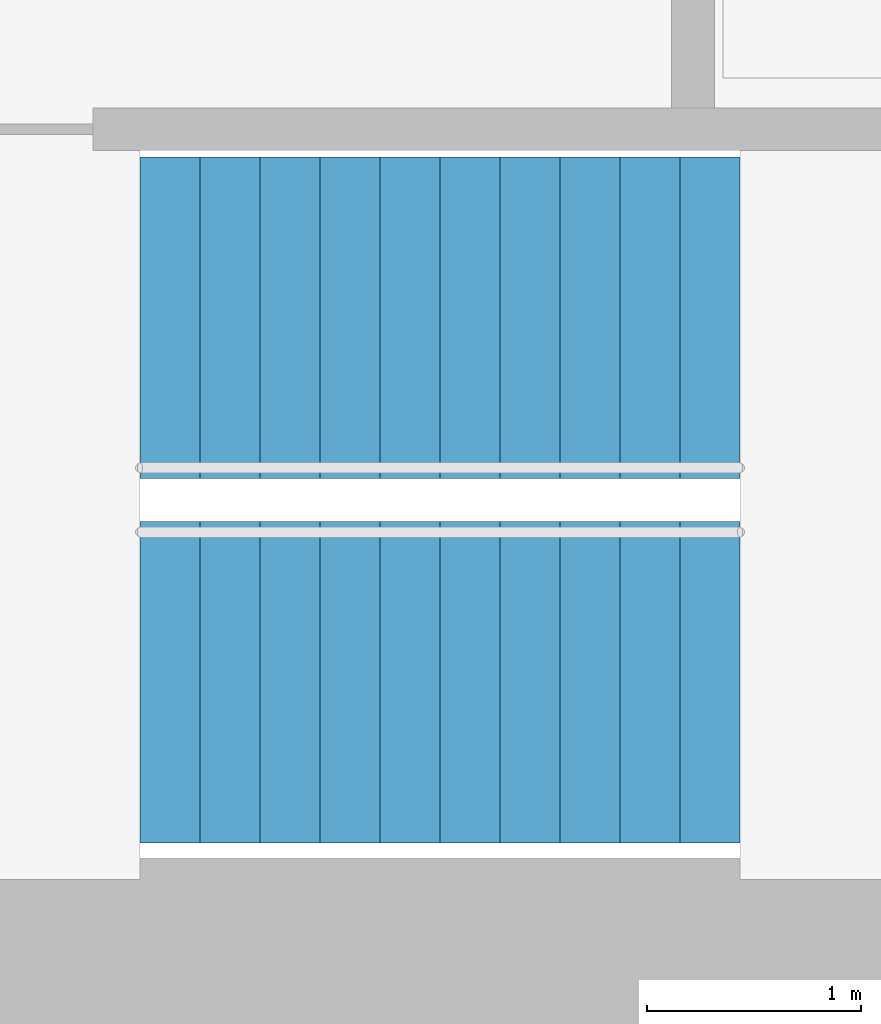
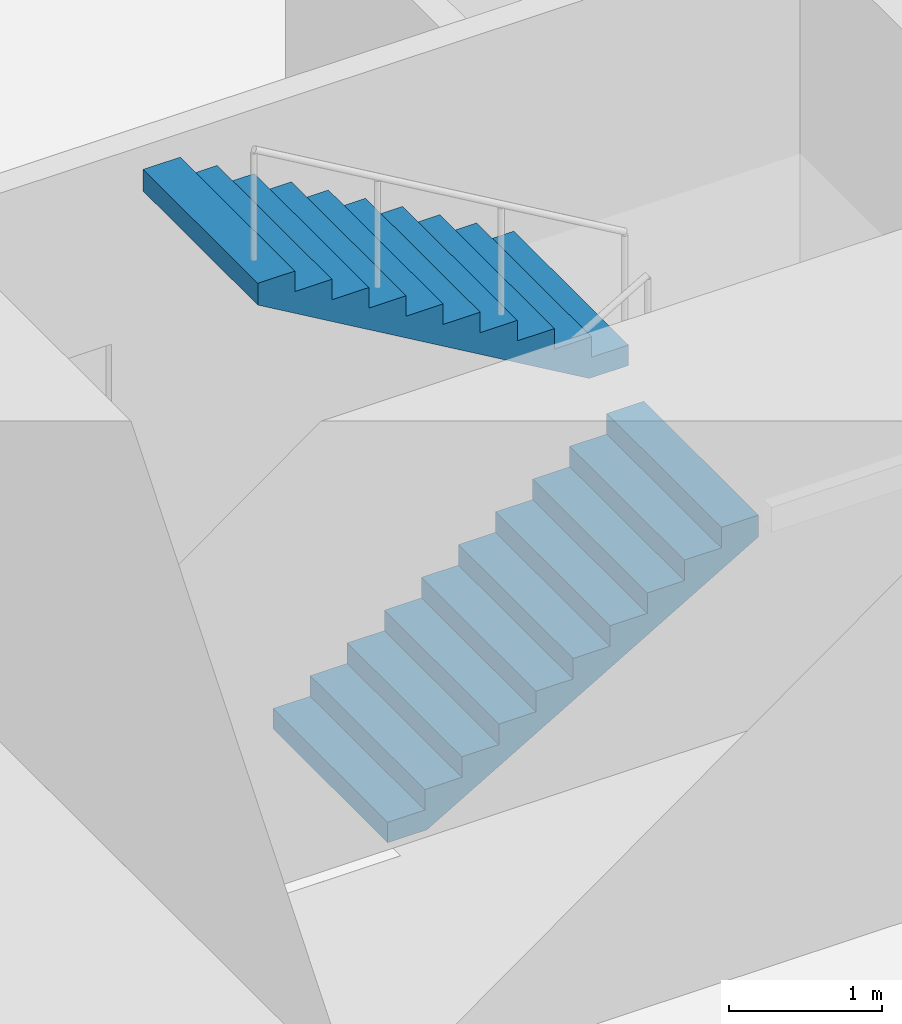
# One storey, part 13 of 15: 2 stair flights, 1 element without a shape of its own.
"""IFC4 building model written with IfcOpenShell, lengths in metres."""

from ifc_helpers import new_model, si_unit, direction, frame, origin, place, context, subcontext, project, spatial, triangles, material, type_object, element, aggregate, save


model = new_model("IFC4")

# Units and contexts
model_context = context("Model", 3, precision=1e-05, world=origin(), true_north=direction((0.0, 1.0)))
body_context = subcontext(model_context, "Body", "Model", "MODEL_VIEW")
ifc_project = project(units=[si_unit("LENGTHUNIT", "METRE"), si_unit("AREAUNIT", "SQUARE_METRE"), si_unit("VOLUMEUNIT", "CUBIC_METRE"), si_unit("PLANEANGLEUNIT", "RADIAN"), si_unit("MASSUNIT", "GRAM", prefix="KILO")], contexts=[model_context])

# Site, building, storey
site_placement = place(None, origin())
site = spatial("IfcSite", under=ifc_project, at=site_placement, CompositionType="ELEMENT")
building_placement = place(site_placement, origin())
building = spatial("IfcBuilding", under=site, at=building_placement, Name="Lantaw Convention Tower", CompositionType="ELEMENT")
storey_placement = place(building_placement, frame((0.0, 0.0, 94.60009765625)))
storey = spatial("IfcBuildingStorey", under=building, at=storey_placement, Name="L22", CompositionType="ELEMENT", Elevation=94.60009765625)

# Stair, stair flights
ifc_material = material(Name="Concrete C35/45", Category="concrete")
stair_type = type_object("IfcStairType", Name="Exit stair 1500 riser 163.64 in 2 flights", PredefinedType="HALF_TURN_STAIR", material=ifc_material)
stair_placement = place(storey_placement, origin())
stair = element("IfcStair", 1, at=stair_placement, inside=storey, type_object=stair_type, Name="Exit stair S1 L22", PredefinedType="HALF_TURN_STAIR")
stair_flight_type = type_object("IfcStairFlightType", Name="Stair flight 1500 riser 163.64", PredefinedType="STRAIGHT", material=ifc_material)
stair_flight_1_placement = place(storey_placement, frame((-10.580078125, -5.97998046875, 0.0), z_axis=(0.0, 0.0, 1.0), x_axis=(1.0, 0.0, 0.0)))
stair_flight_1 = element("IfcStairFlight", 2, at=stair_flight_1_placement, type_object=stair_flight_type, Name="S1 flight 1", NumberOfRisers=11, NumberOfTreads=10, PredefinedType="STRAIGHT", RiserHeight=0.163636364, TreadLength=0.28, context=body_context, shape_type="Tessellation", body=[
    triangles([(0.0, 0.75, 0.0), (0.0, 0.75, 0.163636364), (0.28, 0.75, 0.0), (0.28, 0.75, 0.163636364), (0.28, 0.75, 0.327272728), (0.2970904571225277, 0.75, 0.0), (0.2970904571225277, 0.75, 0.327272728), (0.56, 0.75, 0.1536484344906131), (0.56, 0.75, 0.327272728), (0.56, 0.75, 0.490909092), (0.8400000000000001, 0.75, 0.3172847984906131), (0.8400000000000001, 0.75, 0.490909092), (0.8400000000000001, 0.75, 0.654545456), (1.12, 0.75, 0.4809211624906131), (1.12, 0.75, 0.654545456), (1.12, 0.75, 0.8181818200000001), (1.4000000000000001, 0.75, 0.6445575264906132), (1.4000000000000001, 0.75, 0.8181818200000001), (1.4000000000000001, 0.75, 0.981818184), (1.6800000000000002, 0.75, 0.8081938904906131), (1.6800000000000002, 0.75, 0.981818184), (1.6800000000000002, 0.75, 1.145454548), (1.9600000000000002, 0.75, 0.9718302544906131), (1.9600000000000002, 0.75, 1.145454548), (1.9600000000000002, 0.75, 1.309090912), (2.24, 0.75, 1.135466618490613), (2.24, 0.75, 1.309090912), (2.24, 0.75, 1.472727276), (2.5200000000000005, 0.75, 1.2991029824906133), (2.5200000000000005, 0.75, 1.472727276), (2.5200000000000005, 0.75, 1.6363636400000001), (2.8000000000000003, 0.75, 1.462739346490613), (2.8000000000000003, 0.75, 1.6363636400000001), (0.0, -0.75, 0.0), (0.0, -0.75, 0.163636364), (0.28, -0.75, 0.0), (0.28, -0.75, 0.163636364), (0.28, -0.75, 0.327272728), (0.2970904571225277, -0.75, 0.0), (0.2970904571225277, -0.75, 0.327272728), (0.56, -0.75, 0.1536484344906131), (0.56, -0.75, 0.327272728), (0.56, -0.75, 0.490909092), (0.8400000000000001, -0.75, 0.3172847984906131), (0.8400000000000001, -0.75, 0.490909092), (0.8400000000000001, -0.75, 0.654545456), (1.12, -0.75, 0.4809211624906131), (1.12, -0.75, 0.654545456), (1.12, -0.75, 0.8181818200000001), (1.4000000000000001, -0.75, 0.6445575264906132), (1.4000000000000001, -0.75, 0.8181818200000001), (1.4000000000000001, -0.75, 0.981818184), (1.6800000000000002, -0.75, 0.8081938904906131), (1.6800000000000002, -0.75, 0.981818184), (1.6800000000000002, -0.75, 1.145454548), (1.9600000000000002, -0.75, 0.9718302544906131), (1.9600000000000002, -0.75, 1.145454548), (1.9600000000000002, -0.75, 1.309090912), (2.24, -0.75, 1.135466618490613), (2.24, -0.75, 1.309090912), (2.24, -0.75, 1.472727276), (2.5200000000000005, -0.75, 1.2991029824906133), (2.5200000000000005, -0.75, 1.472727276), (2.5200000000000005, -0.75, 1.6363636400000001), (2.8000000000000003, -0.75, 1.462739346490613), (2.8000000000000003, -0.75, 1.6363636400000001), (0.0, 0.15000000000000002, 0.163636364), (0.0, 0.15000000000000002, 0.0), (0.0, 0.0, 0.163636364), (0.0, 0.0, 0.0), (0.0, -0.15000000000000002, 0.163636364), (0.0, -0.15000000000000002, 0.0), (0.28, 0.15000000000000002, 0.327272728), (0.28, 0.15000000000000002, 0.163636364), (0.28, 0.0, 0.327272728), (0.28, 0.0, 0.163636364), (0.28, -0.15000000000000002, 0.327272728), (0.28, -0.15000000000000002, 0.163636364), (0.56, 0.15000000000000002, 0.490909092), (0.56, 0.15000000000000002, 0.327272728), (0.56, 0.0, 0.490909092), (0.56, 0.0, 0.327272728), (0.56, -0.15000000000000002, 0.490909092), (0.56, -0.15000000000000002, 0.327272728), (0.8400000000000001, 0.15000000000000002, 0.654545456), (0.8400000000000001, 0.15000000000000002, 0.490909092), (0.8400000000000001, 0.0, 0.654545456), (0.8400000000000001, 0.0, 0.490909092), (0.8400000000000001, -0.15000000000000002, 0.654545456), (0.8400000000000001, -0.15000000000000002, 0.490909092), (1.12, 0.15000000000000002, 0.8181818200000001), (1.12, 0.15000000000000002, 0.654545456), (1.12, 0.0, 0.8181818200000001), (1.12, 0.0, 0.654545456), (1.12, -0.15000000000000002, 0.8181818200000001), (1.12, -0.15000000000000002, 0.654545456), (1.4000000000000001, 0.15000000000000002, 0.981818184), (1.4000000000000001, 0.15000000000000002, 0.8181818200000001), (1.4000000000000001, 0.0, 0.981818184), (1.4000000000000001, 0.0, 0.8181818200000001), (1.4000000000000001, -0.15000000000000002, 0.981818184), (1.4000000000000001, -0.15000000000000002, 0.8181818200000001), (1.6800000000000002, 0.15000000000000002, 1.145454548), (1.6800000000000002, 0.15000000000000002, 0.981818184), (1.6800000000000002, 0.0, 1.145454548), (1.6800000000000002, 0.0, 0.981818184), (1.6800000000000002, -0.15000000000000002, 1.145454548), (1.6800000000000002, -0.15000000000000002, 0.981818184), (1.9600000000000002, 0.15000000000000002, 1.309090912), (1.9600000000000002, 0.15000000000000002, 1.145454548), (1.9600000000000002, 0.0, 1.309090912), (1.9600000000000002, 0.0, 1.145454548), (1.9600000000000002, -0.15000000000000002, 1.309090912), (1.9600000000000002, -0.15000000000000002, 1.145454548), (2.24, 0.15000000000000002, 1.472727276), (2.24, 0.15000000000000002, 1.309090912), (2.24, 0.0, 1.472727276), (2.24, 0.0, 1.309090912), (2.24, -0.15000000000000002, 1.472727276), (2.24, -0.15000000000000002, 1.309090912), (2.5200000000000005, 0.15000000000000002, 1.6363636400000001), (2.5200000000000005, 0.15000000000000002, 1.472727276), (2.5200000000000005, 0.0, 1.6363636400000001), (2.5200000000000005, 0.0, 1.472727276), (2.5200000000000005, -0.15000000000000002, 1.6363636400000001), (2.5200000000000005, -0.15000000000000002, 1.472727276), (0.2970904571225277, 0.15000000000000002, 0.327272728), (0.2970904571225277, 0.0, 0.327272728), (0.2970904571225277, -0.15000000000000002, 0.327272728), (2.8000000000000003, 0.15000000000000002, 1.6363636400000001), (2.8000000000000003, 0.0, 1.6363636400000001), (2.8000000000000003, -0.15000000000000002, 1.6363636400000001), (2.8000000000000003, 0.15000000000000002, 1.462739346490613), (2.8000000000000003, 0.0, 1.462739346490613), (2.8000000000000003, -0.15000000000000002, 1.462739346490613), (2.5200000000000005, 0.15000000000000002, 1.2991029824906133), (2.5200000000000005, 0.0, 1.2991029824906133), (2.5200000000000005, -0.15000000000000002, 1.2991029824906133), (2.24, 0.15000000000000002, 1.135466618490613), (2.24, 0.0, 1.135466618490613), (2.24, -0.15000000000000002, 1.135466618490613), (1.9600000000000002, 0.15000000000000002, 0.9718302544906131), (1.9600000000000002, 0.0, 0.9718302544906131), (1.9600000000000002, -0.15000000000000002, 0.9718302544906131), (1.6800000000000002, 0.15000000000000002, 0.8081938904906131), (1.6800000000000002, 0.0, 0.8081938904906131), (1.6800000000000002, -0.15000000000000002, 0.8081938904906131), (1.4000000000000001, 0.15000000000000002, 0.6445575264906132), (1.4000000000000001, 0.0, 0.6445575264906132), (1.4000000000000001, -0.15000000000000002, 0.6445575264906132), (1.12, 0.15000000000000002, 0.4809211624906131), (1.12, 0.0, 0.4809211624906131), (1.12, -0.15000000000000002, 0.4809211624906131), (0.8400000000000001, 0.15000000000000002, 0.3172847984906131), (0.8400000000000001, 0.0, 0.3172847984906131), (0.8400000000000001, -0.15000000000000002, 0.3172847984906131), (0.56, 0.15000000000000002, 0.1536484344906131), (0.56, 0.0, 0.1536484344906131), (0.56, -0.15000000000000002, 0.1536484344906131), (0.2970904571225277, 0.15000000000000002, 0.0), (0.2970904571225277, 0.0, 0.0), (0.2970904571225277, -0.15000000000000002, 0.0), (0.28, 0.15000000000000002, 0.0), (0.28, 0.0, 0.0), (0.28, -0.15000000000000002, 0.0)], [[1, 4, 3], [1, 2, 4], [3, 4, 6], [4, 7, 6], [4, 5, 7], [6, 9, 8], [6, 7, 9], [8, 9, 11], [9, 12, 11], [9, 10, 12], [11, 12, 14], [12, 15, 14], [12, 13, 15], [14, 15, 17], [15, 18, 17], [15, 16, 18], [17, 18, 20], [18, 21, 20], [18, 19, 21], [20, 21, 23], [21, 24, 23], [21, 22, 24], [23, 24, 26], [24, 27, 26], [24, 25, 27], [26, 27, 29], [27, 30, 29], [27, 28, 30], [29, 30, 32], [30, 33, 32], [30, 31, 33], [34, 36, 37], [34, 37, 35], [36, 39, 37], [37, 39, 40], [37, 40, 38], [39, 41, 42], [39, 42, 40], [41, 44, 42], [42, 44, 45], [42, 45, 43], [44, 47, 45], [45, 47, 48], [45, 48, 46], [47, 50, 48], [48, 50, 51], [48, 51, 49], [50, 53, 51], [51, 53, 54], [51, 54, 52], [53, 56, 54], [54, 56, 57], [54, 57, 55], [56, 59, 57], [57, 59, 60], [57, 60, 58], [59, 62, 60], [60, 62, 63], [60, 63, 61], [62, 65, 63], [63, 65, 66], [63, 66, 64], [1, 67, 2], [1, 68, 67], [68, 69, 67], [68, 70, 69], [70, 71, 69], [70, 72, 71], [72, 35, 71], [72, 34, 35], [4, 73, 5], [4, 74, 73], [74, 75, 73], [74, 76, 75], [76, 77, 75], [76, 78, 77], [78, 38, 77], [78, 37, 38], [9, 79, 10], [9, 80, 79], [80, 81, 79], [80, 82, 81], [82, 83, 81], [82, 84, 83], [84, 43, 83], [84, 42, 43], [12, 85, 13], [12, 86, 85], [86, 87, 85], [86, 88, 87], [88, 89, 87], [88, 90, 89], [90, 46, 89], [90, 45, 46], [15, 91, 16], [15, 92, 91], [92, 93, 91], [92, 94, 93], [94, 95, 93], [94, 96, 95], [96, 49, 95], [96, 48, 49], [18, 97, 19], [18, 98, 97], [98, 99, 97], [98, 100, 99], [100, 101, 99], [100, 102, 101], [102, 52, 101], [102, 51, 52], [21, 103, 22], [21, 104, 103], [104, 105, 103], [104, 106, 105], [106, 107, 105], [106, 108, 107], [108, 55, 107], [108, 54, 55], [24, 109, 25], [24, 110, 109], [110, 111, 109], [110, 112, 111], [112, 113, 111], [112, 114, 113], [114, 58, 113], [114, 57, 58], [27, 115, 28], [27, 116, 115], [116, 117, 115], [116, 118, 117], [118, 119, 117], [118, 120, 119], [120, 61, 119], [120, 60, 61], [30, 121, 31], [30, 122, 121], [122, 123, 121], [122, 124, 123], [124, 125, 123], [124, 126, 125], [126, 64, 125], [126, 63, 64], [2, 74, 4], [2, 67, 74], [67, 76, 74], [67, 69, 76], [69, 78, 76], [69, 71, 78], [71, 37, 78], [71, 35, 37], [5, 127, 7], [5, 73, 127], [73, 128, 127], [73, 75, 128], [75, 129, 128], [75, 77, 129], [77, 40, 129], [77, 38, 40], [7, 80, 9], [7, 127, 80], [127, 82, 80], [127, 128, 82], [128, 84, 82], [128, 129, 84], [129, 42, 84], [129, 40, 42], [10, 86, 12], [10, 79, 86], [79, 88, 86], [79, 81, 88], [81, 90, 88], [81, 83, 90], [83, 45, 90], [83, 43, 45], [13, 92, 15], [13, 85, 92], [85, 94, 92], [85, 87, 94], [87, 96, 94], [87, 89, 96], [89, 48, 96], [89, 46, 48], [16, 98, 18], [16, 91, 98], [91, 100, 98], [91, 93, 100], [93, 102, 100], [93, 95, 102], [95, 51, 102], [95, 49, 51], [19, 104, 21], [19, 97, 104], [97, 106, 104], [97, 99, 106], [99, 108, 106], [99, 101, 108], [101, 54, 108], [101, 52, 54], [22, 110, 24], [22, 103, 110], [103, 112, 110], [103, 105, 112], [105, 114, 112], [105, 107, 114], [107, 57, 114], [107, 55, 57], [25, 116, 27], [25, 109, 116], [109, 118, 116], [109, 111, 118], [111, 120, 118], [111, 113, 120], [113, 60, 120], [113, 58, 60], [28, 122, 30], [28, 115, 122], [115, 124, 122], [115, 117, 124], [117, 126, 124], [117, 119, 126], [119, 63, 126], [119, 61, 63], [31, 130, 33], [31, 121, 130], [121, 131, 130], [121, 123, 131], [123, 132, 131], [123, 125, 132], [125, 66, 132], [125, 64, 66], [33, 133, 32], [33, 130, 133], [130, 134, 133], [130, 131, 134], [131, 135, 134], [131, 132, 135], [132, 65, 135], [132, 66, 65], [32, 136, 29], [32, 133, 136], [133, 137, 136], [133, 134, 137], [134, 138, 137], [134, 135, 138], [135, 62, 138], [135, 65, 62], [29, 139, 26], [29, 136, 139], [136, 140, 139], [136, 137, 140], [137, 141, 140], [137, 138, 141], [138, 59, 141], [138, 62, 59], [26, 142, 23], [26, 139, 142], [139, 143, 142], [139, 140, 143], [140, 144, 143], [140, 141, 144], [141, 56, 144], [141, 59, 56], [23, 145, 20], [23, 142, 145], [142, 146, 145], [142, 143, 146], [143, 147, 146], [143, 144, 147], [144, 53, 147], [144, 56, 53], [20, 148, 17], [20, 145, 148], [145, 149, 148], [145, 146, 149], [146, 150, 149], [146, 147, 150], [147, 50, 150], [147, 53, 50], [17, 151, 14], [17, 148, 151], [148, 152, 151], [148, 149, 152], [149, 153, 152], [149, 150, 153], [150, 47, 153], [150, 50, 47], [14, 154, 11], [14, 151, 154], [151, 155, 154], [151, 152, 155], [152, 156, 155], [152, 153, 156], [153, 44, 156], [153, 47, 44], [11, 157, 8], [11, 154, 157], [154, 158, 157], [154, 155, 158], [155, 159, 158], [155, 156, 159], [156, 41, 159], [156, 44, 41], [8, 160, 6], [8, 157, 160], [157, 161, 160], [157, 158, 161], [158, 162, 161], [158, 159, 162], [159, 39, 162], [159, 41, 39], [6, 163, 3], [6, 160, 163], [160, 164, 163], [160, 161, 164], [161, 165, 164], [161, 162, 165], [162, 36, 165], [162, 39, 36], [3, 68, 1], [3, 163, 68], [163, 70, 68], [163, 164, 70], [164, 72, 70], [164, 165, 72], [165, 34, 72], [165, 36, 34]], closed=True),
])
stair_flight_2_placement = place(storey_placement, frame((-7.780029296875, -4.280029296875, 1.7998046875), z_axis=(0.0, 0.0, 1.0), x_axis=(-1.0, 0.0, 0.0)))
stair_flight_2 = element("IfcStairFlight", 3, at=stair_flight_2_placement, type_object=stair_flight_type, Name="S1 flight 2", NumberOfRisers=11, NumberOfTreads=10, PredefinedType="STRAIGHT", RiserHeight=0.163636364, TreadLength=0.28, context=body_context, shape_type="Tessellation", body=[
    triangles([(0.0, 0.75, 0.0), (0.0, 0.75, 0.163636364), (0.28, 0.75, 0.0), (0.28, 0.75, 0.163636364), (0.28, 0.75, 0.327272728), (0.2970904571225277, 0.75, 0.0), (0.2970904571225277, 0.75, 0.327272728), (0.56, 0.75, 0.1536484344906131), (0.56, 0.75, 0.327272728), (0.56, 0.75, 0.490909092), (0.8400000000000001, 0.75, 0.3172847984906131), (0.8400000000000001, 0.75, 0.490909092), (0.8400000000000001, 0.75, 0.654545456), (1.12, 0.75, 0.4809211624906131), (1.12, 0.75, 0.654545456), (1.12, 0.75, 0.8181818200000001), (1.4000000000000001, 0.75, 0.6445575264906132), (1.4000000000000001, 0.75, 0.8181818200000001), (1.4000000000000001, 0.75, 0.981818184), (1.6800000000000002, 0.75, 0.8081938904906131), (1.6800000000000002, 0.75, 0.981818184), (1.6800000000000002, 0.75, 1.145454548), (1.9600000000000002, 0.75, 0.9718302544906131), (1.9600000000000002, 0.75, 1.145454548), (1.9600000000000002, 0.75, 1.309090912), (2.24, 0.75, 1.135466618490613), (2.24, 0.75, 1.309090912), (2.24, 0.75, 1.472727276), (2.5200000000000005, 0.75, 1.2991029824906133), (2.5200000000000005, 0.75, 1.472727276), (2.5200000000000005, 0.75, 1.6363636400000001), (2.8000000000000003, 0.75, 1.462739346490613), (2.8000000000000003, 0.75, 1.6363636400000001), (0.0, -0.75, 0.0), (0.0, -0.75, 0.163636364), (0.28, -0.75, 0.0), (0.28, -0.75, 0.163636364), (0.28, -0.75, 0.327272728), (0.2970904571225277, -0.75, 0.0), (0.2970904571225277, -0.75, 0.327272728), (0.56, -0.75, 0.1536484344906131), (0.56, -0.75, 0.327272728), (0.56, -0.75, 0.490909092), (0.8400000000000001, -0.75, 0.3172847984906131), (0.8400000000000001, -0.75, 0.490909092), (0.8400000000000001, -0.75, 0.654545456), (1.12, -0.75, 0.4809211624906131), (1.12, -0.75, 0.654545456), (1.12, -0.75, 0.8181818200000001), (1.4000000000000001, -0.75, 0.6445575264906132), (1.4000000000000001, -0.75, 0.8181818200000001), (1.4000000000000001, -0.75, 0.981818184), (1.6800000000000002, -0.75, 0.8081938904906131), (1.6800000000000002, -0.75, 0.981818184), (1.6800000000000002, -0.75, 1.145454548), (1.9600000000000002, -0.75, 0.9718302544906131), (1.9600000000000002, -0.75, 1.145454548), (1.9600000000000002, -0.75, 1.309090912), (2.24, -0.75, 1.135466618490613), (2.24, -0.75, 1.309090912), (2.24, -0.75, 1.472727276), (2.5200000000000005, -0.75, 1.2991029824906133), (2.5200000000000005, -0.75, 1.472727276), (2.5200000000000005, -0.75, 1.6363636400000001), (2.8000000000000003, -0.75, 1.462739346490613), (2.8000000000000003, -0.75, 1.6363636400000001), (0.0, 0.15000000000000002, 0.163636364), (0.0, 0.15000000000000002, 0.0), (0.0, 0.0, 0.163636364), (0.0, 0.0, 0.0), (0.0, -0.15000000000000002, 0.163636364), (0.0, -0.15000000000000002, 0.0), (0.28, 0.15000000000000002, 0.327272728), (0.28, 0.15000000000000002, 0.163636364), (0.28, 0.0, 0.327272728), (0.28, 0.0, 0.163636364), (0.28, -0.15000000000000002, 0.327272728), (0.28, -0.15000000000000002, 0.163636364), (0.56, 0.15000000000000002, 0.490909092), (0.56, 0.15000000000000002, 0.327272728), (0.56, 0.0, 0.490909092), (0.56, 0.0, 0.327272728), (0.56, -0.15000000000000002, 0.490909092), (0.56, -0.15000000000000002, 0.327272728), (0.8400000000000001, 0.15000000000000002, 0.654545456), (0.8400000000000001, 0.15000000000000002, 0.490909092), (0.8400000000000001, 0.0, 0.654545456), (0.8400000000000001, 0.0, 0.490909092), (0.8400000000000001, -0.15000000000000002, 0.654545456), (0.8400000000000001, -0.15000000000000002, 0.490909092), (1.12, 0.15000000000000002, 0.8181818200000001), (1.12, 0.15000000000000002, 0.654545456), (1.12, 0.0, 0.8181818200000001), (1.12, 0.0, 0.654545456), (1.12, -0.15000000000000002, 0.8181818200000001), (1.12, -0.15000000000000002, 0.654545456), (1.4000000000000001, 0.15000000000000002, 0.981818184), (1.4000000000000001, 0.15000000000000002, 0.8181818200000001), (1.4000000000000001, 0.0, 0.981818184), (1.4000000000000001, 0.0, 0.8181818200000001), (1.4000000000000001, -0.15000000000000002, 0.981818184), (1.4000000000000001, -0.15000000000000002, 0.8181818200000001), (1.6800000000000002, 0.15000000000000002, 1.145454548), (1.6800000000000002, 0.15000000000000002, 0.981818184), (1.6800000000000002, 0.0, 1.145454548), (1.6800000000000002, 0.0, 0.981818184), (1.6800000000000002, -0.15000000000000002, 1.145454548), (1.6800000000000002, -0.15000000000000002, 0.981818184), (1.9600000000000002, 0.15000000000000002, 1.309090912), (1.9600000000000002, 0.15000000000000002, 1.145454548), (1.9600000000000002, 0.0, 1.309090912), (1.9600000000000002, 0.0, 1.145454548), (1.9600000000000002, -0.15000000000000002, 1.309090912), (1.9600000000000002, -0.15000000000000002, 1.145454548), (2.24, 0.15000000000000002, 1.472727276), (2.24, 0.15000000000000002, 1.309090912), (2.24, 0.0, 1.472727276), (2.24, 0.0, 1.309090912), (2.24, -0.15000000000000002, 1.472727276), (2.24, -0.15000000000000002, 1.309090912), (2.5200000000000005, 0.15000000000000002, 1.6363636400000001), (2.5200000000000005, 0.15000000000000002, 1.472727276), (2.5200000000000005, 0.0, 1.6363636400000001), (2.5200000000000005, 0.0, 1.472727276), (2.5200000000000005, -0.15000000000000002, 1.6363636400000001), (2.5200000000000005, -0.15000000000000002, 1.472727276), (0.2970904571225277, 0.15000000000000002, 0.327272728), (0.2970904571225277, 0.0, 0.327272728), (0.2970904571225277, -0.15000000000000002, 0.327272728), (2.8000000000000003, 0.15000000000000002, 1.6363636400000001), (2.8000000000000003, 0.0, 1.6363636400000001), (2.8000000000000003, -0.15000000000000002, 1.6363636400000001), (2.8000000000000003, 0.15000000000000002, 1.462739346490613), (2.8000000000000003, 0.0, 1.462739346490613), (2.8000000000000003, -0.15000000000000002, 1.462739346490613), (2.5200000000000005, 0.15000000000000002, 1.2991029824906133), (2.5200000000000005, 0.0, 1.2991029824906133), (2.5200000000000005, -0.15000000000000002, 1.2991029824906133), (2.24, 0.15000000000000002, 1.135466618490613), (2.24, 0.0, 1.135466618490613), (2.24, -0.15000000000000002, 1.135466618490613), (1.9600000000000002, 0.15000000000000002, 0.9718302544906131), (1.9600000000000002, 0.0, 0.9718302544906131), (1.9600000000000002, -0.15000000000000002, 0.9718302544906131), (1.6800000000000002, 0.15000000000000002, 0.8081938904906131), (1.6800000000000002, 0.0, 0.8081938904906131), (1.6800000000000002, -0.15000000000000002, 0.8081938904906131), (1.4000000000000001, 0.15000000000000002, 0.6445575264906132), (1.4000000000000001, 0.0, 0.6445575264906132), (1.4000000000000001, -0.15000000000000002, 0.6445575264906132), (1.12, 0.15000000000000002, 0.4809211624906131), (1.12, 0.0, 0.4809211624906131), (1.12, -0.15000000000000002, 0.4809211624906131), (0.8400000000000001, 0.15000000000000002, 0.3172847984906131), (0.8400000000000001, 0.0, 0.3172847984906131), (0.8400000000000001, -0.15000000000000002, 0.3172847984906131), (0.56, 0.15000000000000002, 0.1536484344906131), (0.56, 0.0, 0.1536484344906131), (0.56, -0.15000000000000002, 0.1536484344906131), (0.2970904571225277, 0.15000000000000002, 0.0), (0.2970904571225277, 0.0, 0.0), (0.2970904571225277, -0.15000000000000002, 0.0), (0.28, 0.15000000000000002, 0.0), (0.28, 0.0, 0.0), (0.28, -0.15000000000000002, 0.0)], [[1, 4, 3], [1, 2, 4], [3, 4, 6], [4, 7, 6], [4, 5, 7], [6, 9, 8], [6, 7, 9], [8, 9, 11], [9, 12, 11], [9, 10, 12], [11, 12, 14], [12, 15, 14], [12, 13, 15], [14, 15, 17], [15, 18, 17], [15, 16, 18], [17, 18, 20], [18, 21, 20], [18, 19, 21], [20, 21, 23], [21, 24, 23], [21, 22, 24], [23, 24, 26], [24, 27, 26], [24, 25, 27], [26, 27, 29], [27, 30, 29], [27, 28, 30], [29, 30, 32], [30, 33, 32], [30, 31, 33], [34, 36, 37], [34, 37, 35], [36, 39, 37], [37, 39, 40], [37, 40, 38], [39, 41, 42], [39, 42, 40], [41, 44, 42], [42, 44, 45], [42, 45, 43], [44, 47, 45], [45, 47, 48], [45, 48, 46], [47, 50, 48], [48, 50, 51], [48, 51, 49], [50, 53, 51], [51, 53, 54], [51, 54, 52], [53, 56, 54], [54, 56, 57], [54, 57, 55], [56, 59, 57], [57, 59, 60], [57, 60, 58], [59, 62, 60], [60, 62, 63], [60, 63, 61], [62, 65, 63], [63, 65, 66], [63, 66, 64], [1, 67, 2], [1, 68, 67], [68, 69, 67], [68, 70, 69], [70, 71, 69], [70, 72, 71], [72, 35, 71], [72, 34, 35], [4, 73, 5], [4, 74, 73], [74, 75, 73], [74, 76, 75], [76, 77, 75], [76, 78, 77], [78, 38, 77], [78, 37, 38], [9, 79, 10], [9, 80, 79], [80, 81, 79], [80, 82, 81], [82, 83, 81], [82, 84, 83], [84, 43, 83], [84, 42, 43], [12, 85, 13], [12, 86, 85], [86, 87, 85], [86, 88, 87], [88, 89, 87], [88, 90, 89], [90, 46, 89], [90, 45, 46], [15, 91, 16], [15, 92, 91], [92, 93, 91], [92, 94, 93], [94, 95, 93], [94, 96, 95], [96, 49, 95], [96, 48, 49], [18, 97, 19], [18, 98, 97], [98, 99, 97], [98, 100, 99], [100, 101, 99], [100, 102, 101], [102, 52, 101], [102, 51, 52], [21, 103, 22], [21, 104, 103], [104, 105, 103], [104, 106, 105], [106, 107, 105], [106, 108, 107], [108, 55, 107], [108, 54, 55], [24, 109, 25], [24, 110, 109], [110, 111, 109], [110, 112, 111], [112, 113, 111], [112, 114, 113], [114, 58, 113], [114, 57, 58], [27, 115, 28], [27, 116, 115], [116, 117, 115], [116, 118, 117], [118, 119, 117], [118, 120, 119], [120, 61, 119], [120, 60, 61], [30, 121, 31], [30, 122, 121], [122, 123, 121], [122, 124, 123], [124, 125, 123], [124, 126, 125], [126, 64, 125], [126, 63, 64], [2, 74, 4], [2, 67, 74], [67, 76, 74], [67, 69, 76], [69, 78, 76], [69, 71, 78], [71, 37, 78], [71, 35, 37], [5, 127, 7], [5, 73, 127], [73, 128, 127], [73, 75, 128], [75, 129, 128], [75, 77, 129], [77, 40, 129], [77, 38, 40], [7, 80, 9], [7, 127, 80], [127, 82, 80], [127, 128, 82], [128, 84, 82], [128, 129, 84], [129, 42, 84], [129, 40, 42], [10, 86, 12], [10, 79, 86], [79, 88, 86], [79, 81, 88], [81, 90, 88], [81, 83, 90], [83, 45, 90], [83, 43, 45], [13, 92, 15], [13, 85, 92], [85, 94, 92], [85, 87, 94], [87, 96, 94], [87, 89, 96], [89, 48, 96], [89, 46, 48], [16, 98, 18], [16, 91, 98], [91, 100, 98], [91, 93, 100], [93, 102, 100], [93, 95, 102], [95, 51, 102], [95, 49, 51], [19, 104, 21], [19, 97, 104], [97, 106, 104], [97, 99, 106], [99, 108, 106], [99, 101, 108], [101, 54, 108], [101, 52, 54], [22, 110, 24], [22, 103, 110], [103, 112, 110], [103, 105, 112], [105, 114, 112], [105, 107, 114], [107, 57, 114], [107, 55, 57], [25, 116, 27], [25, 109, 116], [109, 118, 116], [109, 111, 118], [111, 120, 118], [111, 113, 120], [113, 60, 120], [113, 58, 60], [28, 122, 30], [28, 115, 122], [115, 124, 122], [115, 117, 124], [117, 126, 124], [117, 119, 126], [119, 63, 126], [119, 61, 63], [31, 130, 33], [31, 121, 130], [121, 131, 130], [121, 123, 131], [123, 132, 131], [123, 125, 132], [125, 66, 132], [125, 64, 66], [33, 133, 32], [33, 130, 133], [130, 134, 133], [130, 131, 134], [131, 135, 134], [131, 132, 135], [132, 65, 135], [132, 66, 65], [32, 136, 29], [32, 133, 136], [133, 137, 136], [133, 134, 137], [134, 138, 137], [134, 135, 138], [135, 62, 138], [135, 65, 62], [29, 139, 26], [29, 136, 139], [136, 140, 139], [136, 137, 140], [137, 141, 140], [137, 138, 141], [138, 59, 141], [138, 62, 59], [26, 142, 23], [26, 139, 142], [139, 143, 142], [139, 140, 143], [140, 144, 143], [140, 141, 144], [141, 56, 144], [141, 59, 56], [23, 145, 20], [23, 142, 145], [142, 146, 145], [142, 143, 146], [143, 147, 146], [143, 144, 147], [144, 53, 147], [144, 56, 53], [20, 148, 17], [20, 145, 148], [145, 149, 148], [145, 146, 149], [146, 150, 149], [146, 147, 150], [147, 50, 150], [147, 53, 50], [17, 151, 14], [17, 148, 151], [148, 152, 151], [148, 149, 152], [149, 153, 152], [149, 150, 153], [150, 47, 153], [150, 50, 47], [14, 154, 11], [14, 151, 154], [151, 155, 154], [151, 152, 155], [152, 156, 155], [152, 153, 156], [153, 44, 156], [153, 47, 44], [11, 157, 8], [11, 154, 157], [154, 158, 157], [154, 155, 158], [155, 159, 158], [155, 156, 159], [156, 41, 159], [156, 44, 41], [8, 160, 6], [8, 157, 160], [157, 161, 160], [157, 158, 161], [158, 162, 161], [158, 159, 162], [159, 39, 162], [159, 41, 39], [6, 163, 3], [6, 160, 163], [160, 164, 163], [160, 161, 164], [161, 165, 164], [161, 162, 165], [162, 36, 165], [162, 39, 36], [3, 68, 1], [3, 163, 68], [163, 70, 68], [163, 164, 70], [164, 72, 70], [164, 165, 72], [165, 34, 72], [165, 36, 34]], closed=True),
])
aggregate(stair, [stair_flight_1, stair_flight_2])

save(model, "model.ifc")
